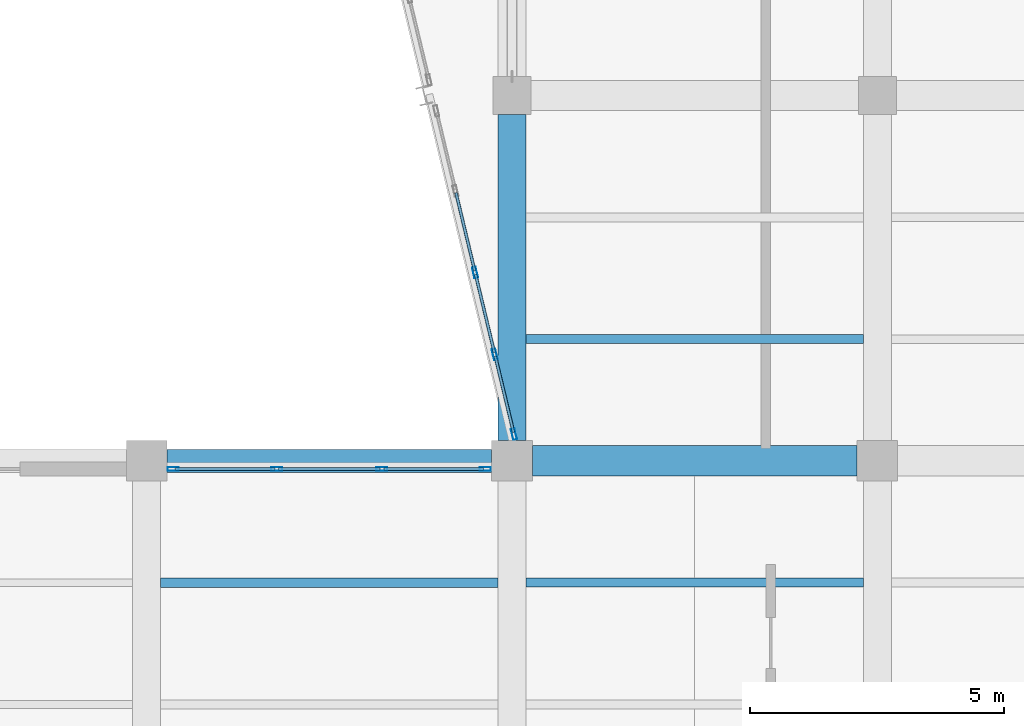
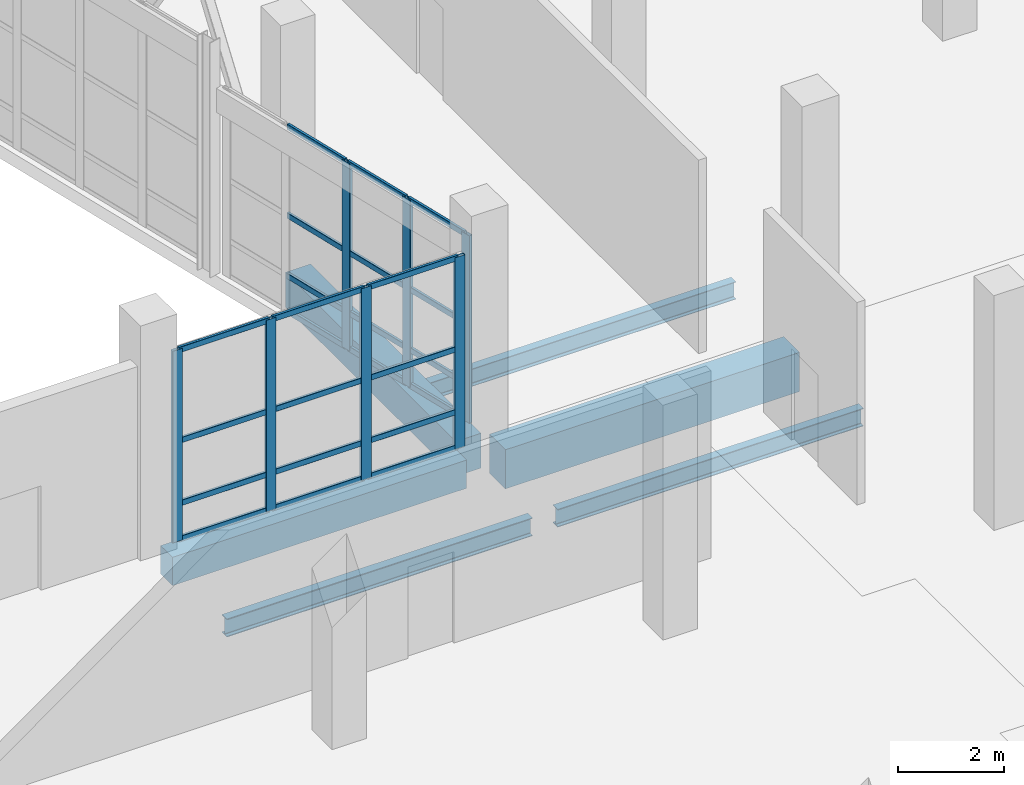
# One storey, part 69 of 137: 31 members, 6 beams, 2 elements without a shape of their own.
"""IFC4 building model written with IfcOpenShell, lengths in metres."""

from ifc_helpers import new_model, si_unit, direction, frame, origin, origin_2d, place, context, subcontext, project, spatial, rectangle, hollow_rectangle, i_section, extrude, material, material_profile, profile_set, type_object, element, aggregate, save


model = new_model("IFC4")

# Units and contexts
model_context = context("Model", 3, precision=1e-05, world=origin(), true_north=direction((0.0, 1.0)))
body_context = subcontext(model_context, "Body", "Model", "MODEL_VIEW")
ifc_project = project(units=[si_unit("LENGTHUNIT", "METRE"), si_unit("AREAUNIT", "SQUARE_METRE"), si_unit("VOLUMEUNIT", "CUBIC_METRE"), si_unit("PLANEANGLEUNIT", "RADIAN"), si_unit("MASSUNIT", "GRAM", prefix="KILO")], contexts=[model_context])

# Site, building, storey
site_placement = place(None, origin())
site = spatial("IfcSite", under=ifc_project, at=site_placement, CompositionType="ELEMENT")
building_placement = place(site_placement, origin())
building = spatial("IfcBuilding", under=site, at=building_placement, Name="Kalmorath City Hall", CompositionType="ELEMENT")
storey_placement = place(building_placement, origin())
storey = spatial("IfcBuildingStorey", under=building, at=storey_placement, Name="L00", CompositionType="ELEMENT", Elevation=0.0)

# Beams
ifc_material_1 = material(Name="Concrete C40/50", Category="concrete")
ifc_material_profile_1 = material_profile(ifc_material_1, rectangle(XDim=0.550048828125, YDim=0.800048828125, at=origin_2d()), Name="RC-BM-550X800")
ifc_profile_set_1 = profile_set([ifc_material_profile_1], Name="Concrete C40/50")
beam_type_1 = type_object("IfcBeamType", Name="Concrete floor girder 550x800", PredefinedType="BEAM", material=ifc_profile_set_1)
beam_1_placement = place(storey_placement, frame((136.800048828125, 43.60009765625, -0.7041015625), z_axis=(0.0, 1.0, 0.0), x_axis=(-1.0, 0.0, 0.0)))
element("IfcBeam", 1, at=beam_1_placement, inside=storey, type_object=beam_type_1, Name="L00 girder CB2 Y20/7-8", PredefinedType="BEAM", context=body_context, shape_type="SweptSolid", body=[
    extrude(rectangle(XDim=0.550048828125, YDim=0.800048828125, at=origin_2d()), origin(), (0.0, 0.0, 1.0), 6.4248046875),
])
ifc_material_2 = material(Name="Concrete C40/50", Category="concrete")
ifc_material_profile_2 = material_profile(ifc_material_2, rectangle(XDim=0.60009765625, YDim=0.89990234375, at=origin_2d()), Name="RC-BM-600X900")
ifc_profile_set_2 = profile_set([ifc_material_profile_2], Name="Concrete C40/50")
beam_type_2 = type_object("IfcBeamType", Name="Concrete floor girder 600x900", PredefinedType="BEAM", material=ifc_profile_set_2)
beam_2_placement = place(storey_placement, frame((137.199951171875, 43.199951171875, -0.75390625), z_axis=(1.0, 0.0, 0.0), x_axis=(0.0, 1.0, 0.0)))
element("IfcBeam", 2, at=beam_2_placement, inside=storey, type_object=beam_type_2, Name="L00 girder CB1 X20-21/7", PredefinedType="BEAM", context=body_context, shape_type="SweptSolid", body=[
    extrude(rectangle(XDim=0.60009765625, YDim=0.89990234375, at=origin_2d()), origin(), (0.0, 0.0, 1.0), 6.400146484375),
])
ifc_material_3 = material(Name="Concrete C40/50", Category="concrete")
ifc_material_profile_3 = material_profile(ifc_material_3, rectangle(XDim=0.449951171875, YDim=0.64990234375, at=origin_2d()), Name="RC-BM-450X650")
ifc_profile_set_3 = profile_set([ifc_material_profile_3], Name="Concrete C40/50")
beam_type_3 = type_object("IfcBeamType", Name="Concrete spandrel beam 450x650", PredefinedType="SPANDREL", material=ifc_profile_set_3)
beam_3_placement = place(storey_placement, frame((130.0, 43.199951171875, -0.62890625), z_axis=(1.0, 0.0, 0.0), x_axis=(0.0, 1.0, 0.0)))
element("IfcBeam", 3, at=beam_3_placement, inside=storey, type_object=beam_type_3, Name="L00 girder CB5 X19-20/7", PredefinedType="SPANDREL", context=body_context, shape_type="SweptSolid", body=[
    extrude(rectangle(XDim=0.449951171875, YDim=0.64990234375, at=origin_2d()), origin(), (0.0, 0.0, 1.0), 6.39990234375),
])

# Curtain wall, members
ifc_material_4 = material(Name="Anodised aluminium and laminated glass", Category="aluminium")
curtain_wall_type_1 = type_object("IfcCurtainWallType", Name="Unitised hurricane curtain wall 6220x4411 M1850", PredefinedType="NOTDEFINED", material=ifc_material_4)
curtain_wall_1_placement = place(storey_placement, origin())
curtain_wall_1 = element("IfcCurtainWall", 4, at=curtain_wall_1_placement, inside=storey, type_object=curtain_wall_type_1, Name="L00 curtain wall CW-62X44M18 #40", PredefinedType="NOTDEFINED")
ifc_material_5 = material(Name="Anodised aluminium framing", Category="aluminium")
ifc_material_profile_4 = material_profile(ifc_material_5, hollow_rectangle(XDim=0.06005859375, YDim=0.1298828125, WallThickness=0.00341796875, InnerFilletRadius=0.00341796875, OuterFilletRadius=0.007080078125, at=origin_2d()), Name="ALU-TRN-130X60X3.5")
ifc_profile_set_4 = profile_set([ifc_material_profile_4], Name="Anodised aluminium framing")
member_type_1 = type_object("IfcMemberType", Name="Curtain-wall courtyard transom 130x60", PredefinedType="USERDEFINED", material=ifc_profile_set_4)
member_1_placement = place(storey_placement, frame((130.1650390625, 43.0400390625, 0.030029296875), z_axis=(1.0, 0.0, 0.0), x_axis=(0.0, 1.0, 0.0)))
member_1 = element("IfcMember", 5, at=member_1_placement, type_object=member_type_1, Name="CW-62X44M18 transom 1.1", ObjectType="TRANSOM", PredefinedType="USERDEFINED", context=body_context, shape_type="SweptSolid", body=[
    extrude(hollow_rectangle(XDim=0.06005859375, YDim=0.1298828125, WallThickness=0.00341796875, InnerFilletRadius=0.00341796875, OuterFilletRadius=0.007080078125, at=origin_2d()), origin(), (0.0, 0.0, 1.0), 1.960693359375),
])
member_2_placement = place(storey_placement, frame((130.1650390625, 43.0400390625, 0.85009765625), z_axis=(1.0, 0.0, 0.0), x_axis=(0.0, 1.0, 0.0)))
member_2 = element("IfcMember", 6, at=member_2_placement, type_object=member_type_1, Name="CW-62X44M18 transom 1.2", ObjectType="TRANSOM", PredefinedType="USERDEFINED", context=body_context, shape_type="SweptSolid", body=[
    extrude(hollow_rectangle(XDim=0.06005859375, YDim=0.1298828125, WallThickness=0.00341796875, InnerFilletRadius=0.00341796875, OuterFilletRadius=0.007080078125, at=origin_2d()), origin(), (0.0, 0.0, 1.0), 1.960693359375),
])
member_3_placement = place(storey_placement, frame((130.1650390625, 43.0400390625, 2.2939453125), z_axis=(1.0, 0.0, 0.0), x_axis=(0.0, 1.0, 0.0)))
member_3 = element("IfcMember", 7, at=member_3_placement, type_object=member_type_1, Name="CW-62X44M18 transom 1.3", ObjectType="TRANSOM", PredefinedType="USERDEFINED", context=body_context, shape_type="SweptSolid", body=[
    extrude(hollow_rectangle(XDim=0.06005859375, YDim=0.1298828125, WallThickness=0.00341796875, InnerFilletRadius=0.00341796875, OuterFilletRadius=0.007080078125, at=origin_2d()), origin(), (0.0, 0.0, 1.0), 1.960693359375),
])
member_4_placement = place(storey_placement, frame((130.1650390625, 43.0400390625, 4.381103515625), z_axis=(1.0, 0.0, 0.0), x_axis=(0.0, 1.0, 0.0)))
member_4 = element("IfcMember", 8, at=member_4_placement, type_object=member_type_1, Name="CW-62X44M18 transom 1.4", ObjectType="TRANSOM", PredefinedType="USERDEFINED", context=body_context, shape_type="SweptSolid", body=[
    extrude(hollow_rectangle(XDim=0.06005859375, YDim=0.1298828125, WallThickness=0.00341796875, InnerFilletRadius=0.00341796875, OuterFilletRadius=0.007080078125, at=origin_2d()), origin(), (0.0, 0.0, 1.0), 1.960693359375),
])
member_5_placement = place(storey_placement, frame((132.200927734375, 43.0400390625, 0.030029296875), z_axis=(1.0, 0.0, 0.0), x_axis=(0.0, 1.0, 0.0)))
member_5 = element("IfcMember", 9, at=member_5_placement, type_object=member_type_1, Name="CW-62X44M18 transom 2.1", ObjectType="TRANSOM", PredefinedType="USERDEFINED", context=body_context, shape_type="SweptSolid", body=[
    extrude(hollow_rectangle(XDim=0.06005859375, YDim=0.1298828125, WallThickness=0.00341796875, InnerFilletRadius=0.00341796875, OuterFilletRadius=0.007080078125, at=origin_2d()), origin(), (0.0, 0.0, 1.0), 1.998291015625),
])
member_6_placement = place(storey_placement, frame((132.200927734375, 43.0400390625, 0.85009765625), z_axis=(1.0, 0.0, 0.0), x_axis=(0.0, 1.0, 0.0)))
member_6 = element("IfcMember", 10, at=member_6_placement, type_object=member_type_1, Name="CW-62X44M18 transom 2.2", ObjectType="TRANSOM", PredefinedType="USERDEFINED", context=body_context, shape_type="SweptSolid", body=[
    extrude(hollow_rectangle(XDim=0.06005859375, YDim=0.1298828125, WallThickness=0.00341796875, InnerFilletRadius=0.00341796875, OuterFilletRadius=0.007080078125, at=origin_2d()), origin(), (0.0, 0.0, 1.0), 1.998291015625),
])
member_7_placement = place(storey_placement, frame((132.200927734375, 43.0400390625, 2.2939453125), z_axis=(1.0, 0.0, 0.0), x_axis=(0.0, 1.0, 0.0)))
member_7 = element("IfcMember", 11, at=member_7_placement, type_object=member_type_1, Name="CW-62X44M18 transom 2.3", ObjectType="TRANSOM", PredefinedType="USERDEFINED", context=body_context, shape_type="SweptSolid", body=[
    extrude(hollow_rectangle(XDim=0.06005859375, YDim=0.1298828125, WallThickness=0.00341796875, InnerFilletRadius=0.00341796875, OuterFilletRadius=0.007080078125, at=origin_2d()), origin(), (0.0, 0.0, 1.0), 1.998291015625),
])
member_8_placement = place(storey_placement, frame((132.200927734375, 43.0400390625, 4.381103515625), z_axis=(1.0, 0.0, 0.0), x_axis=(0.0, 1.0, 0.0)))
member_8 = element("IfcMember", 12, at=member_8_placement, type_object=member_type_1, Name="CW-62X44M18 transom 2.4", ObjectType="TRANSOM", PredefinedType="USERDEFINED", context=body_context, shape_type="SweptSolid", body=[
    extrude(hollow_rectangle(XDim=0.06005859375, YDim=0.1298828125, WallThickness=0.00341796875, InnerFilletRadius=0.00341796875, OuterFilletRadius=0.007080078125, at=origin_2d()), origin(), (0.0, 0.0, 1.0), 1.998291015625),
])
member_9_placement = place(storey_placement, frame((134.274169921875, 43.0400390625, 0.030029296875), z_axis=(1.0, 0.0, 0.0), x_axis=(0.0, 1.0, 0.0)))
member_9 = element("IfcMember", 13, at=member_9_placement, type_object=member_type_1, Name="CW-62X44M18 transom 3.1", ObjectType="TRANSOM", PredefinedType="USERDEFINED", context=body_context, shape_type="SweptSolid", body=[
    extrude(hollow_rectangle(XDim=0.06005859375, YDim=0.1298828125, WallThickness=0.00341796875, InnerFilletRadius=0.00341796875, OuterFilletRadius=0.007080078125, at=origin_2d()), origin(), (0.0, 0.0, 1.0), 1.9609375),
])
member_10_placement = place(storey_placement, frame((134.274169921875, 43.0400390625, 0.85009765625), z_axis=(1.0, 0.0, 0.0), x_axis=(0.0, 1.0, 0.0)))
member_10 = element("IfcMember", 14, at=member_10_placement, type_object=member_type_1, Name="CW-62X44M18 transom 3.2", ObjectType="TRANSOM", PredefinedType="USERDEFINED", context=body_context, shape_type="SweptSolid", body=[
    extrude(hollow_rectangle(XDim=0.06005859375, YDim=0.1298828125, WallThickness=0.00341796875, InnerFilletRadius=0.00341796875, OuterFilletRadius=0.007080078125, at=origin_2d()), origin(), (0.0, 0.0, 1.0), 1.9609375),
])
member_11_placement = place(storey_placement, frame((134.274169921875, 43.0400390625, 2.2939453125), z_axis=(1.0, 0.0, 0.0), x_axis=(0.0, 1.0, 0.0)))
member_11 = element("IfcMember", 15, at=member_11_placement, type_object=member_type_1, Name="CW-62X44M18 transom 3.3", ObjectType="TRANSOM", PredefinedType="USERDEFINED", context=body_context, shape_type="SweptSolid", body=[
    extrude(hollow_rectangle(XDim=0.06005859375, YDim=0.1298828125, WallThickness=0.00341796875, InnerFilletRadius=0.00341796875, OuterFilletRadius=0.007080078125, at=origin_2d()), origin(), (0.0, 0.0, 1.0), 1.9609375),
])
member_12_placement = place(storey_placement, frame((134.274169921875, 43.0400390625, 4.381103515625), z_axis=(1.0, 0.0, 0.0), x_axis=(0.0, 1.0, 0.0)))
member_12 = element("IfcMember", 16, at=member_12_placement, type_object=member_type_1, Name="CW-62X44M18 transom 3.4", ObjectType="TRANSOM", PredefinedType="USERDEFINED", context=body_context, shape_type="SweptSolid", body=[
    extrude(hollow_rectangle(XDim=0.06005859375, YDim=0.1298828125, WallThickness=0.00341796875, InnerFilletRadius=0.00341796875, OuterFilletRadius=0.007080078125, at=origin_2d()), origin(), (0.0, 0.0, 1.0), 1.9609375),
])

ifc_material_6 = material(Name="Anodised aluminium and laminated glass", Category="aluminium")
curtain_wall_type_2 = type_object("IfcCurtainWallType", Name="Unitised hurricane curtain wall 6623x4311 M1850", PredefinedType="NOTDEFINED", material=ifc_material_6)
curtain_wall_2_placement = place(storey_placement, origin())
curtain_wall_2 = element("IfcCurtainWall", 17, at=curtain_wall_2_placement, inside=storey, type_object=curtain_wall_type_2, Name="L00 curtain wall CW-66X43M18 #41", PredefinedType="NOTDEFINED")
member_13_placement = place(storey_placement, frame((136.829345703125, 43.762939453125, 0.030029296875), z_axis=(-0.233516558751, 0.972352825259, 0.0), x_axis=(-0.972352825259, -0.233516558751, 0.0)))
member_13 = element("IfcMember", 18, at=member_13_placement, type_object=member_type_1, Name="CW-66X43M18 transom 1.1", ObjectType="TRANSOM", PredefinedType="USERDEFINED", context=body_context, shape_type="SweptSolid", body=[
    extrude(hollow_rectangle(XDim=0.06005859375, YDim=0.1298828125, WallThickness=0.00341796875, InnerFilletRadius=0.00341796875, OuterFilletRadius=0.007080078125, at=origin_2d()), origin(), (0.0, 0.0, 1.0), 1.543212890625),
])
member_14_placement = place(storey_placement, frame((136.829345703125, 43.762939453125, 0.85009765625), z_axis=(-0.233516558751, 0.972352825259, 0.0), x_axis=(-0.972352825259, -0.233516558751, 0.0)))
member_14 = element("IfcMember", 19, at=member_14_placement, type_object=member_type_1, Name="CW-66X43M18 transom 1.2", ObjectType="TRANSOM", PredefinedType="USERDEFINED", context=body_context, shape_type="SweptSolid", body=[
    extrude(hollow_rectangle(XDim=0.06005859375, YDim=0.1298828125, WallThickness=0.00341796875, InnerFilletRadius=0.00341796875, OuterFilletRadius=0.007080078125, at=origin_2d()), origin(), (0.0, 0.0, 1.0), 1.543212890625),
])
member_15_placement = place(storey_placement, frame((136.829345703125, 43.762939453125, 2.241943359375), z_axis=(-0.233516558751, 0.972352825259, 0.0), x_axis=(-0.972352825259, -0.233516558751, 0.0)))
member_15 = element("IfcMember", 20, at=member_15_placement, type_object=member_type_1, Name="CW-66X43M18 transom 1.3", ObjectType="TRANSOM", PredefinedType="USERDEFINED", context=body_context, shape_type="SweptSolid", body=[
    extrude(hollow_rectangle(XDim=0.06005859375, YDim=0.1298828125, WallThickness=0.00341796875, InnerFilletRadius=0.00341796875, OuterFilletRadius=0.007080078125, at=origin_2d()), origin(), (0.0, 0.0, 1.0), 1.543212890625),
])
member_16_placement = place(storey_placement, frame((136.829345703125, 43.762939453125, 4.281005859375), z_axis=(-0.233516558751, 0.972352825259, 0.0), x_axis=(-0.972352825259, -0.233516558751, 0.0)))
member_16 = element("IfcMember", 21, at=member_16_placement, type_object=member_type_1, Name="CW-66X43M18 transom 1.4", ObjectType="TRANSOM", PredefinedType="USERDEFINED", context=body_context, shape_type="SweptSolid", body=[
    extrude(hollow_rectangle(XDim=0.06005859375, YDim=0.1298828125, WallThickness=0.00341796875, InnerFilletRadius=0.00341796875, OuterFilletRadius=0.007080078125, at=origin_2d()), origin(), (0.0, 0.0, 1.0), 1.543212890625),
])
member_17_placement = place(storey_placement, frame((136.45166015625, 45.33642578125, 0.030029296875), z_axis=(-0.233513137559, 0.972353646873, 0.0), x_axis=(-0.972353646873, -0.233513137559, 0.0)))
member_17 = element("IfcMember", 22, at=member_17_placement, type_object=member_type_1, Name="CW-66X43M18 transom 2.1", ObjectType="TRANSOM", PredefinedType="USERDEFINED", context=body_context, shape_type="SweptSolid", body=[
    extrude(hollow_rectangle(XDim=0.06005859375, YDim=0.1298828125, WallThickness=0.00341796875, InnerFilletRadius=0.00341796875, OuterFilletRadius=0.007080078125, at=origin_2d()), origin(), (0.0, 0.0, 1.0), 1.580810546875),
])
member_18_placement = place(storey_placement, frame((136.45166015625, 45.33642578125, 0.85009765625), z_axis=(-0.233513137559, 0.972353646873, 0.0), x_axis=(-0.972353646873, -0.233513137559, 0.0)))
member_18 = element("IfcMember", 23, at=member_18_placement, type_object=member_type_1, Name="CW-66X43M18 transom 2.2", ObjectType="TRANSOM", PredefinedType="USERDEFINED", context=body_context, shape_type="SweptSolid", body=[
    extrude(hollow_rectangle(XDim=0.06005859375, YDim=0.1298828125, WallThickness=0.00341796875, InnerFilletRadius=0.00341796875, OuterFilletRadius=0.007080078125, at=origin_2d()), origin(), (0.0, 0.0, 1.0), 1.580810546875),
])
member_19_placement = place(storey_placement, frame((136.45166015625, 45.33642578125, 2.241943359375), z_axis=(-0.233513137559, 0.972353646873, 0.0), x_axis=(-0.972353646873, -0.233513137559, 0.0)))
member_19 = element("IfcMember", 24, at=member_19_placement, type_object=member_type_1, Name="CW-66X43M18 transom 2.3", ObjectType="TRANSOM", PredefinedType="USERDEFINED", context=body_context, shape_type="SweptSolid", body=[
    extrude(hollow_rectangle(XDim=0.06005859375, YDim=0.1298828125, WallThickness=0.00341796875, InnerFilletRadius=0.00341796875, OuterFilletRadius=0.007080078125, at=origin_2d()), origin(), (0.0, 0.0, 1.0), 1.580810546875),
])
member_20_placement = place(storey_placement, frame((136.45166015625, 45.33642578125, 4.281005859375), z_axis=(-0.233513137559, 0.972353646873, 0.0), x_axis=(-0.972353646873, -0.233513137559, 0.0)))
member_20 = element("IfcMember", 25, at=member_20_placement, type_object=member_type_1, Name="CW-66X43M18 transom 2.4", ObjectType="TRANSOM", PredefinedType="USERDEFINED", context=body_context, shape_type="SweptSolid", body=[
    extrude(hollow_rectangle(XDim=0.06005859375, YDim=0.1298828125, WallThickness=0.00341796875, InnerFilletRadius=0.00341796875, OuterFilletRadius=0.007080078125, at=origin_2d()), origin(), (0.0, 0.0, 1.0), 1.580810546875),
])
member_21_placement = place(storey_placement, frame((136.06494140625, 46.946533203125, 0.030029296875), z_axis=(-0.233367111114, 0.972388703889, 0.0), x_axis=(-0.972388703889, -0.233367111114, 0.0)))
member_21 = element("IfcMember", 26, at=member_21_placement, type_object=member_type_1, Name="CW-66X43M18 transom 3.1", ObjectType="TRANSOM", PredefinedType="USERDEFINED", context=body_context, shape_type="SweptSolid", body=[
    extrude(hollow_rectangle(XDim=0.06005859375, YDim=0.1298828125, WallThickness=0.00341796875, InnerFilletRadius=0.00341796875, OuterFilletRadius=0.007080078125, at=origin_2d()), origin(), (0.0, 0.0, 1.0), 1.580810546875),
])
member_22_placement = place(storey_placement, frame((136.06494140625, 46.946533203125, 0.85009765625), z_axis=(-0.233367111114, 0.972388703889, 0.0), x_axis=(-0.972388703889, -0.233367111114, 0.0)))
member_22 = element("IfcMember", 27, at=member_22_placement, type_object=member_type_1, Name="CW-66X43M18 transom 3.2", ObjectType="TRANSOM", PredefinedType="USERDEFINED", context=body_context, shape_type="SweptSolid", body=[
    extrude(hollow_rectangle(XDim=0.06005859375, YDim=0.1298828125, WallThickness=0.00341796875, InnerFilletRadius=0.00341796875, OuterFilletRadius=0.007080078125, at=origin_2d()), origin(), (0.0, 0.0, 1.0), 1.580810546875),
])
member_23_placement = place(storey_placement, frame((136.06494140625, 46.946533203125, 2.241943359375), z_axis=(-0.233367111114, 0.972388703889, 0.0), x_axis=(-0.972388703889, -0.233367111114, 0.0)))
member_23 = element("IfcMember", 28, at=member_23_placement, type_object=member_type_1, Name="CW-66X43M18 transom 3.3", ObjectType="TRANSOM", PredefinedType="USERDEFINED", context=body_context, shape_type="SweptSolid", body=[
    extrude(hollow_rectangle(XDim=0.06005859375, YDim=0.1298828125, WallThickness=0.00341796875, InnerFilletRadius=0.00341796875, OuterFilletRadius=0.007080078125, at=origin_2d()), origin(), (0.0, 0.0, 1.0), 1.580810546875),
])
member_24_placement = place(storey_placement, frame((136.06494140625, 46.946533203125, 4.281005859375), z_axis=(-0.233367111114, 0.972388703889, 0.0), x_axis=(-0.972388703889, -0.233367111114, 0.0)))
member_24 = element("IfcMember", 29, at=member_24_placement, type_object=member_type_1, Name="CW-66X43M18 transom 3.4", ObjectType="TRANSOM", PredefinedType="USERDEFINED", context=body_context, shape_type="SweptSolid", body=[
    extrude(hollow_rectangle(XDim=0.06005859375, YDim=0.1298828125, WallThickness=0.00341796875, InnerFilletRadius=0.00341796875, OuterFilletRadius=0.007080078125, at=origin_2d()), origin(), (0.0, 0.0, 1.0), 1.580810546875),
])

# Member
ifc_material_7 = material(Name="Anodised aluminium framing", Category="aluminium")
ifc_material_profile_5 = material_profile(ifc_material_7, hollow_rectangle(XDim=0.074951171875, YDim=0.219970703125, WallThickness=0.00390625, InnerFilletRadius=0.00390625, OuterFilletRadius=0.008056640625, at=origin_2d()), Name="ALU-MUL-220X75X4")
ifc_profile_set_5 = profile_set([ifc_material_profile_5], Name="Anodised aluminium framing")
member_type_2 = type_object("IfcMemberType", Name="Curtain-wall primary mullion 220x75", PredefinedType="MULLION", material=ifc_profile_set_5)
member_25_placement = place(storey_placement, frame((130.12744140625, 43.0400390625, 0.0), z_axis=(0.0, 0.0, 1.0), x_axis=(0.0, 1.0, 0.0)))
member_25 = element("IfcMember", 30, at=member_25_placement, type_object=member_type_2, Name="CW-62X44M18 mullion 1", PredefinedType="MULLION", context=body_context, shape_type="SweptSolid", body=[
    extrude(hollow_rectangle(XDim=0.074951171875, YDim=0.219970703125, WallThickness=0.00390625, InnerFilletRadius=0.00390625, OuterFilletRadius=0.008056640625, at=origin_2d()), origin(), (0.0, 0.0, 1.0), 4.410888671875),
])

member_26_placement = place(storey_placement, frame((132.163330078125, 43.0400390625, 0.0), z_axis=(0.0, 0.0, 1.0), x_axis=(0.0, 1.0, 0.0)))
member_26 = element("IfcMember", 31, at=member_26_placement, type_object=member_type_2, Name="CW-62X44M18 mullion 2", PredefinedType="MULLION", context=body_context, shape_type="SweptSolid", body=[
    extrude(hollow_rectangle(XDim=0.074951171875, YDim=0.219970703125, WallThickness=0.00390625, InnerFilletRadius=0.00390625, OuterFilletRadius=0.008056640625, at=origin_2d()), origin(), (0.0, 0.0, 1.0), 4.410888671875),
])

member_27_placement = place(storey_placement, frame((134.236572265625, 43.0400390625, 0.0), z_axis=(0.0, 0.0, 1.0), x_axis=(0.0, 1.0, 0.0)))
member_27 = element("IfcMember", 32, at=member_27_placement, type_object=member_type_2, Name="CW-62X44M18 mullion 3", PredefinedType="MULLION", context=body_context, shape_type="SweptSolid", body=[
    extrude(hollow_rectangle(XDim=0.074951171875, YDim=0.219970703125, WallThickness=0.00390625, InnerFilletRadius=0.00390625, OuterFilletRadius=0.008056640625, at=origin_2d()), origin(), (0.0, 0.0, 1.0), 4.410888671875),
])

member_28_placement = place(storey_placement, frame((136.2724609375, 43.0400390625, 0.0), z_axis=(0.0, 0.0, 1.0), x_axis=(0.0, 1.0, 0.0)))
member_28 = element("IfcMember", 33, at=member_28_placement, type_object=member_type_2, Name="CW-62X44M18 mullion 4", PredefinedType="MULLION", context=body_context, shape_type="SweptSolid", body=[
    extrude(hollow_rectangle(XDim=0.074951171875, YDim=0.219970703125, WallThickness=0.00390625, InnerFilletRadius=0.00390625, OuterFilletRadius=0.008056640625, at=origin_2d()), origin(), (0.0, 0.0, 1.0), 4.410888671875),
])

aggregate(curtain_wall_1, [member_25, member_26, member_27, member_28, member_1, member_2, member_3, member_4, member_5, member_6, member_7, member_8, member_9, member_10, member_11, member_12])

member_29_placement = place(storey_placement, frame((136.838134765625, 43.7265625, 0.0), z_axis=(0.0, 0.0, 1.0), x_axis=(-0.972366739997, -0.233458610779, 0.0)))
member_29 = element("IfcMember", 34, at=member_29_placement, type_object=member_type_2, Name="CW-66X43M18 mullion 1", PredefinedType="MULLION", context=body_context, shape_type="SweptSolid", body=[
    extrude(hollow_rectangle(XDim=0.074951171875, YDim=0.219970703125, WallThickness=0.00390625, InnerFilletRadius=0.00390625, OuterFilletRadius=0.008056640625, at=origin_2d()), origin(), (0.0, 0.0, 1.0), 4.31103515625),
])

member_30_placement = place(storey_placement, frame((136.46044921875, 45.300048828125, 0.0), z_axis=(0.0, 0.0, 1.0), x_axis=(-0.972366739997, -0.233458610779, 0.0)))
member_30 = element("IfcMember", 35, at=member_30_placement, type_object=member_type_2, Name="CW-66X43M18 mullion 2", PredefinedType="MULLION", context=body_context, shape_type="SweptSolid", body=[
    extrude(hollow_rectangle(XDim=0.074951171875, YDim=0.219970703125, WallThickness=0.00390625, InnerFilletRadius=0.00390625, OuterFilletRadius=0.008056640625, at=origin_2d()), origin(), (0.0, 0.0, 1.0), 4.31103515625),
])

member_31_placement = place(storey_placement, frame((136.07373046875, 46.909912109375, 0.0), z_axis=(0.0, 0.0, 1.0), x_axis=(-0.972366739997, -0.233458610779, 0.0)))
member_31 = element("IfcMember", 36, at=member_31_placement, type_object=member_type_2, Name="CW-66X43M18 mullion 3", PredefinedType="MULLION", context=body_context, shape_type="SweptSolid", body=[
    extrude(hollow_rectangle(XDim=0.074951171875, YDim=0.219970703125, WallThickness=0.00390625, InnerFilletRadius=0.00390625, OuterFilletRadius=0.008056640625, at=origin_2d()), origin(), (0.0, 0.0, 1.0), 4.31103515625),
])

aggregate(curtain_wall_2, [member_29, member_30, member_31, member_13, member_14, member_15, member_16, member_17, member_18, member_19, member_20, member_21, member_22, member_23, member_24])

# Beams
ifc_material_8 = material(Name="Steel ASTM A992 Grade 50", Category="steel")
ifc_material_profile_6 = material_profile(ifc_material_8, i_section(OverallWidth=0.177001953125, OverallDepth=0.403076171875, WebThickness=0.007568359375, FlangeThickness=0.010986328125, FilletRadius=0.012939453125, at=origin_2d()), Name="W16X36")
ifc_profile_set_6 = profile_set([ifc_material_profile_6], Name="Steel ASTM A992 Grade 50")
beam_type_4 = type_object("IfcBeamType", Name="Steel composite joist W16X36", PredefinedType="JOIST", material=ifc_profile_set_6)
beam_4_placement = place(storey_placement, frame((137.074951171875, 45.60009765625, -0.505615234375), z_axis=(1.0, 0.0, 0.0), x_axis=(0.0, 1.0, 0.0)))
element("IfcBeam", 37, at=beam_4_placement, inside=storey, type_object=beam_type_4, Name="L00 joist SJ7 20.7.1", PredefinedType="JOIST", context=body_context, shape_type="SweptSolid", body=[
    extrude(i_section(OverallWidth=0.177001953125, OverallDepth=0.403076171875, WebThickness=0.007568359375, FlangeThickness=0.010986328125, FilletRadius=0.012939453125, at=origin_2d()), origin(), (0.0, 0.0, 1.0), 6.650146484375),
])
ifc_material_9 = material(Name="Steel ASTM A992 Grade 50", Category="steel")
ifc_material_profile_7 = material_profile(ifc_material_9, i_section(OverallWidth=0.178955078125, OverallDepth=0.409912109375, WebThickness=0.0087890625, FlangeThickness=0.014404296875, FilletRadius=0.012939453125, at=origin_2d()), Name="W16X45")
ifc_profile_set_7 = profile_set([ifc_material_profile_7], Name="Steel ASTM A992 Grade 50")
beam_type_5 = type_object("IfcBeamType", Name="Steel composite joist W16X45", PredefinedType="JOIST", material=ifc_profile_set_7)
beam_5_placement = place(storey_placement, frame((137.074951171875, 40.800048828125, -0.509033203125), z_axis=(1.0, 0.0, 0.0), x_axis=(0.0, 1.0, 0.0)))
element("IfcBeam", 38, at=beam_5_placement, inside=storey, type_object=beam_type_5, Name="L00 joist SJ6 20.6.2", PredefinedType="JOIST", context=body_context, shape_type="SweptSolid", body=[
    extrude(i_section(OverallWidth=0.178955078125, OverallDepth=0.409912109375, WebThickness=0.0087890625, FlangeThickness=0.014404296875, FilletRadius=0.012939453125, at=origin_2d()), origin(), (0.0, 0.0, 1.0), 6.650146484375),
])
ifc_material_10 = material(Name="Steel ASTM A992 Grade 50", Category="steel")
ifc_material_profile_8 = material_profile(ifc_material_10, i_section(OverallWidth=0.180908203125, OverallDepth=0.4169921875, WebThickness=0.010986328125, FlangeThickness=0.018310546875, FilletRadius=0.012939453125, at=origin_2d()), Name="W16X57")
ifc_profile_set_8 = profile_set([ifc_material_profile_8], Name="Steel ASTM A992 Grade 50")
beam_type_6 = type_object("IfcBeamType", Name="Steel composite joist W16X57", PredefinedType="JOIST", material=ifc_profile_set_8)
beam_6_placement = place(storey_placement, frame((129.875, 40.800048828125, -0.512451171875), z_axis=(1.0, 0.0, 0.0), x_axis=(0.0, 1.0, 0.0)))
element("IfcBeam", 39, at=beam_6_placement, inside=storey, type_object=beam_type_6, Name="L00 joist SJ5 19.6.2", PredefinedType="JOIST", context=body_context, shape_type="SweptSolid", body=[
    extrude(i_section(OverallWidth=0.180908203125, OverallDepth=0.4169921875, WebThickness=0.010986328125, FlangeThickness=0.018310546875, FilletRadius=0.012939453125, at=origin_2d()), origin(), (0.0, 0.0, 1.0), 6.64990234375),
])

save(model, "model.ifc")
